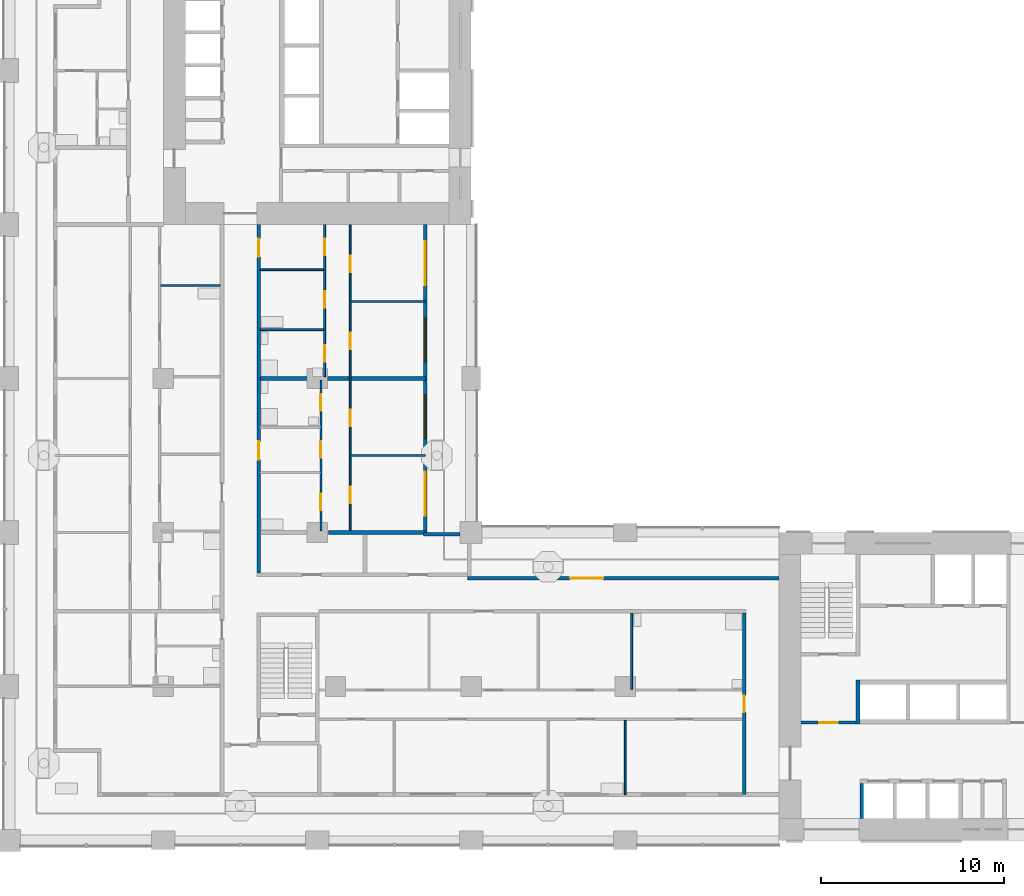
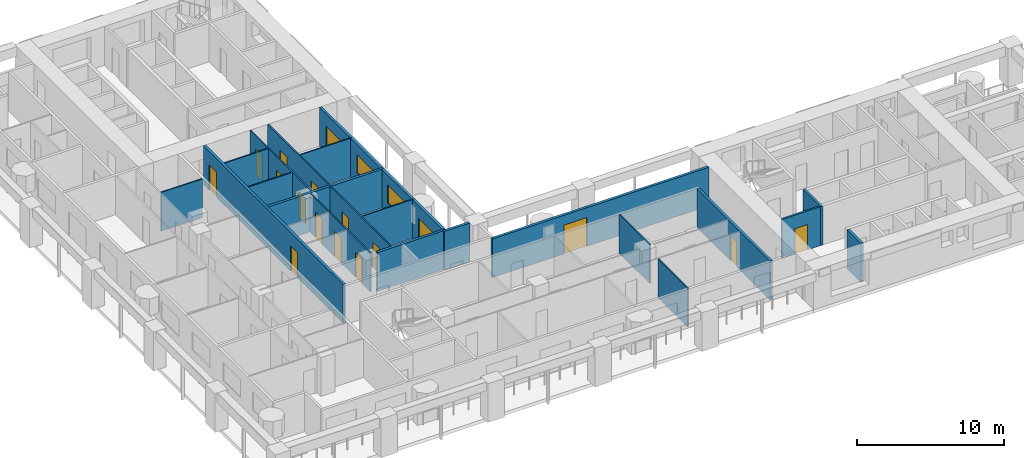
# One storey, part 4 of 18: 20 walls, 17 doors, 2 windows, 19 openings.
"""IFC4 building model written with IfcOpenShell, lengths in metres."""

from ifc_helpers import new_model, si_unit, direction, frame, frame_2d, origin, place, context, subcontext, project, spatial, rectangle, extrude, material, layer, layer_set, type_object, element, fill, save


model = new_model("IFC4")

# Units and contexts
model_context = context("Model", 3, precision=1e-05, world=origin(), true_north=direction((0.0, 1.0)))
body_context = subcontext(model_context, "Body", "Model", "MODEL_VIEW")
ifc_project = project(units=[si_unit("LENGTHUNIT", "METRE"), si_unit("AREAUNIT", "SQUARE_METRE"), si_unit("VOLUMEUNIT", "CUBIC_METRE"), si_unit("PLANEANGLEUNIT", "RADIAN"), si_unit("MASSUNIT", "GRAM", prefix="KILO")], contexts=[model_context])

# Site, building, storey
site_placement = place(None, origin())
site = spatial("IfcSite", under=ifc_project, at=site_placement, CompositionType="ELEMENT")
building_placement = place(site_placement, origin())
building = spatial("IfcBuilding", under=site, at=building_placement, Name="Vermilion Gate Residences", CompositionType="ELEMENT")
storey_placement = place(building_placement, frame((0.0, 0.0, 84.699951171875)))
storey = spatial("IfcBuildingStorey", under=building, at=storey_placement, Name="L20", CompositionType="ELEMENT", Elevation=84.699951171875)

# Wall, opening, door
ifc_material_1 = material(Name="Masonry blockwork", Category="masonry")
ifc_layer_1 = layer(ifc_material_1, 0.14990234375)
ifc_layer_set_1 = layer_set([ifc_layer_1], Name="BLOCKWORK PARTITION 150 EI 120")
wall_type_1 = type_object("IfcWallType", Name="BLOCKWORK PARTITION 150 EI 120", PredefinedType="PARTITIONING", material=ifc_layer_set_1)
wall_1_placement = place(storey_placement, frame((43.199951171875, 14.824951171875, 0.0), z_axis=(0.0, 0.0, 1.0), x_axis=(1.0, 0.0, 0.0)))
wall_1 = element("IfcWall", 1, at=wall_1_placement, inside=storey, type_object=wall_type_1, Name="Core room partition A20-VW-S", PredefinedType="PARTITIONING", context=body_context, shape_type="SweptSolid", body=[
    extrude(rectangle(XDim=3.0, YDim=0.14990234375, at=frame_2d((1.5, 0.0))), origin(), (0.0, 0.0, 1.0), 3.219970703125),
])
opening_1_placement = place(wall_1_placement, frame((1.0, 0.0, 0.0)))
opening_1 = element("IfcOpeningElement", 2, at=opening_1_placement, cuts=wall_1, Name="Opening DK20011", PredefinedType="OPENING", context=body_context, shape_type="SweptSolid", body=[
    extrude(rectangle(XDim=1.0, YDim=2.10009765625, at=frame_2d((0.5, 1.050048828125))), frame((0.0, 0.0849609375, 0.0), z_axis=(0.0, -1.0, 0.0), x_axis=(1.0, 0.0, 0.0)), (0.0, 0.0, 1.0), 0.169921875),
])
ifc_material_2 = material(Name="Steel", Category="steel")
door_type_1 = type_object("IfcDoorType", Name="FIRE DOOR FD60 1000 X 2100", OperationType="SINGLE_SWING_LEFT", PredefinedType="DOOR", material=ifc_material_2)
door_1_placement = place(opening_1_placement, frame((1.0, 0.0, 0.0), z_axis=(0.0, 0.0, 1.0), x_axis=(-1.0, 0.0, 0.0)))
door_1 = element("IfcDoor", 3, at=door_1_placement, inside=storey, type_object=door_type_1, Name="Stair vestibule door A20", OperationType="SINGLE_SWING_RIGHT", OverallHeight=2.10009765625, OverallWidth=1.0, PredefinedType="DOOR", context=body_context, shape_type="SweptSolid", body=[
    extrude(rectangle(XDim=1.0, YDim=2.10009765625, at=frame_2d((0.5, 1.050048828125))), frame((0.0, 0.02490234375, 0.0), z_axis=(0.0, -1.0, 0.0), x_axis=(1.0, 0.0, 0.0)), (0.0, 0.0, 1.0), 0.050048828125),
])
fill(opening_1, door_1)

ifc_material_3 = material(Name="Insulated steel stud wall with terracotta rainscreen", Category="masonry")
ifc_layer_2 = layer(ifc_material_3, 0.199951171875)
ifc_layer_set_2 = layer_set([ifc_layer_2], Name="EXTERNAL WALL 200 TERRACOTTA RAINSCREEN")
wall_type_2 = type_object("IfcWallType", Name="EXTERNAL WALL 200 TERRACOTTA RAINSCREEN", PredefinedType="SOLIDWALL", material=ifc_layer_set_2)
wall_2_placement = place(storey_placement, frame((42.0, 22.699951171875, 0.0), z_axis=(0.0, 0.0, 1.0), x_axis=(-1.0, 0.0, 0.0)))
wall_2 = element("IfcWall", 4, at=wall_2_placement, inside=storey, type_object=wall_type_2, Name="External wall", PredefinedType="SOLIDWALL", context=body_context, shape_type="SweptSolid", body=[
    extrude(rectangle(XDim=17.0, YDim=0.199951171875, at=frame_2d((8.5, 0.0))), origin(), (0.0, 0.0, 1.0), 3.219970703125),
])
opening_2_placement = place(wall_2_placement, frame((9.60009765625, 0.0, 0.0)))
opening_2 = element("IfcOpeningElement", 5, at=opening_2_placement, cuts=wall_2, Name="Opening DE20029", PredefinedType="OPENING", context=body_context, shape_type="SweptSolid", body=[
    extrude(rectangle(XDim=1.800048828125, YDim=2.39990234375, at=frame_2d((0.89990234375, 1.199951171875))), frame((0.0, 0.10986328125, 0.0), z_axis=(0.0, -1.0, 0.0), x_axis=(1.0, 0.0, 0.0)), (0.0, 0.0, 1.0), 0.219970703125),
])
ifc_material_4 = material(Name="Aluminium and clear glass", Category="aluminium")
door_type_2 = type_object("IfcDoorType", Name="GLAZED EXTERNAL DOOR 1800 X 2400", OperationType="DOUBLE_DOOR_SINGLE_SWING", PredefinedType="DOOR", material=ifc_material_4)
door_2_placement = place(opening_2_placement, frame((1.800048828125, 0.0, 0.0), z_axis=(0.0, 0.0, 1.0), x_axis=(-1.0, 0.0, 0.0)))
door_2 = element("IfcDoor", 6, at=door_2_placement, inside=storey, type_object=door_type_2, Name="Gallery door", OperationType="DOUBLE_DOOR_SINGLE_SWING", OverallHeight=2.39990234375, OverallWidth=1.800048828125, PredefinedType="DOOR", context=body_context, shape_type="SweptSolid", body=[
    extrude(rectangle(XDim=1.800048828125, YDim=2.39990234375, at=frame_2d((0.89990234375, 1.199951171875))), frame((0.0, 0.02490234375, 0.0), z_axis=(0.0, -1.0, 0.0), x_axis=(1.0, 0.0, 0.0)), (0.0, 0.0, 1.0), 0.050048828125),
])
fill(opening_2, door_2)

# Wall
wall_3_placement = place(storey_placement, frame((24.60009765625, 25.10009765625, 0.0), z_axis=(0.0, 0.0, 1.0), x_axis=(-1.0, 0.0, 0.0)))
element("IfcWall", 7, at=wall_3_placement, inside=storey, type_object=wall_type_2, Name="External wall", PredefinedType="SOLIDWALL", context=body_context, shape_type="SweptSolid", body=[
    extrude(rectangle(XDim=2.0, YDim=0.199951171875, at=frame_2d((1.0, 0.0))), origin(), (0.0, 0.0, 1.0), 3.219970703125),
])

# Wall, openings, doors, windows
wall_4_placement = place(storey_placement, frame((22.699951171875, 25.199951171875, 0.0), z_axis=(0.0, 0.0, 1.0), x_axis=(0.0, 1.0, 0.0)))
wall_4 = element("IfcWall", 8, at=wall_4_placement, inside=storey, type_object=wall_type_2, Name="External wall", PredefinedType="SOLIDWALL", context=body_context, shape_type="SweptSolid", body=[
    extrude(rectangle(XDim=16.800048828125, YDim=0.199951171875, at=frame_2d((8.39990234375, 0.0))), origin(), (0.0, 0.0, 1.0), 3.219970703125),
])
opening_3_placement = place(wall_4_placement, frame((0.89990234375, 0.0, 0.0)))
opening_3 = element("IfcOpeningElement", 9, at=opening_3_placement, cuts=wall_4, Name="Opening DE20024", PredefinedType="OPENING", context=body_context, shape_type="SweptSolid", body=[
    extrude(rectangle(XDim=2.39990234375, YDim=2.199951171875, at=frame_2d((1.199951171875, 1.10009765625))), frame((0.0, 0.10986328125, 0.0), z_axis=(0.0, -1.0, 0.0), x_axis=(1.0, 0.0, 0.0)), (0.0, 0.0, 1.0), 0.219970703125),
])
opening_4_placement = place(wall_4_placement, frame((5.10009765625, 0.0, 0.89990234375)))
opening_4 = element("IfcOpeningElement", 10, at=opening_4_placement, cuts=wall_4, Name="Opening WE20025", PredefinedType="OPENING", context=body_context, shape_type="SweptSolid", body=[
    extrude(rectangle(XDim=2.39990234375, YDim=1.5, at=frame_2d((1.199951171875, 0.75))), frame((0.0, 0.10986328125, 0.0), z_axis=(0.0, -1.0, 0.0), x_axis=(1.0, 0.0, 0.0)), (0.0, 0.0, 1.0), 0.219970703125),
])
opening_5_placement = place(wall_4_placement, frame((9.300048828125, 0.0, 0.89990234375)))
opening_5 = element("IfcOpeningElement", 11, at=opening_5_placement, cuts=wall_4, Name="Opening WE20026", PredefinedType="OPENING", context=body_context, shape_type="SweptSolid", body=[
    extrude(rectangle(XDim=2.39990234375, YDim=1.5, at=frame_2d((1.199951171875, 0.75))), frame((0.0, 0.10986328125, 0.0), z_axis=(0.0, -1.0, 0.0), x_axis=(1.0, 0.0, 0.0)), (0.0, 0.0, 1.0), 0.219970703125),
])
opening_6_placement = place(wall_4_placement, frame((13.5, 0.0, 0.0)))
opening_6 = element("IfcOpeningElement", 12, at=opening_6_placement, cuts=wall_4, Name="Opening DE20027", PredefinedType="OPENING", context=body_context, shape_type="SweptSolid", body=[
    extrude(rectangle(XDim=2.39990234375, YDim=2.199951171875, at=frame_2d((1.199951171875, 1.10009765625))), frame((0.0, 0.10986328125, 0.0), z_axis=(0.0, -1.0, 0.0), x_axis=(1.0, 0.0, 0.0)), (0.0, 0.0, 1.0), 0.219970703125),
])
ifc_material_5 = material(Name="Aluminium and clear glass", Category="aluminium")
door_type_3 = type_object("IfcDoorType", Name="SLIDING GLAZED DOOR 2400 X 2200", OperationType="DOUBLE_DOOR_SLIDING", PredefinedType="DOOR", material=ifc_material_5)
door_3_placement = place(opening_3_placement, origin())
door_3 = element("IfcDoor", 13, at=door_3_placement, inside=storey, type_object=door_type_3, Name="Loggia sliding door", OperationType="DOUBLE_DOOR_SLIDING", OverallHeight=2.199951171875, OverallWidth=2.39990234375, PredefinedType="DOOR", context=body_context, shape_type="SweptSolid", body=[
    extrude(rectangle(XDim=2.39990234375, YDim=2.199951171875, at=frame_2d((1.199951171875, 1.10009765625))), frame((0.0, 0.02490234375, 0.0), z_axis=(0.0, -1.0, 0.0), x_axis=(1.0, 0.0, 0.0)), (0.0, 0.0, 1.0), 0.050048828125),
])
fill(opening_3, door_3)
door_4_placement = place(opening_6_placement, origin())
door_4 = element("IfcDoor", 14, at=door_4_placement, inside=storey, type_object=door_type_3, Name="Loggia sliding door", OperationType="DOUBLE_DOOR_SLIDING", OverallHeight=2.199951171875, OverallWidth=2.39990234375, PredefinedType="DOOR", context=body_context, shape_type="SweptSolid", body=[
    extrude(rectangle(XDim=2.39990234375, YDim=2.199951171875, at=frame_2d((1.199951171875, 1.10009765625))), frame((0.0, 0.02490234375, 0.0), z_axis=(0.0, -1.0, 0.0), x_axis=(1.0, 0.0, 0.0)), (0.0, 0.0, 1.0), 0.050048828125),
])
fill(opening_6, door_4)
ifc_material_6 = material(Name="Aluminium and clear glass", Category="aluminium")
window_type = type_object("IfcWindowType", Name="WINDOW 2400 X 1500", PartitioningType="SINGLE_PANEL", PredefinedType="WINDOW", material=ifc_material_6)
window_1_placement = place(opening_4_placement, origin())
window_1 = element("IfcWindow", 15, at=window_1_placement, inside=storey, type_object=window_type, Name="Window", OverallHeight=1.5, OverallWidth=2.39990234375, PartitioningType="SINGLE_PANEL", PredefinedType="WINDOW", context=body_context, shape_type="SweptSolid", body=[
    extrude(rectangle(XDim=2.39990234375, YDim=1.5, at=frame_2d((1.199951171875, 0.75))), frame((0.0, 0.030029296875, 0.0), z_axis=(0.0, -1.0, 0.0), x_axis=(1.0, 0.0, 0.0)), (0.0, 0.0, 1.0), 0.06005859375),
])
fill(opening_4, window_1)
window_2_placement = place(opening_5_placement, origin())
window_2 = element("IfcWindow", 16, at=window_2_placement, inside=storey, type_object=window_type, Name="Window", OverallHeight=1.5, OverallWidth=2.39990234375, PartitioningType="SINGLE_PANEL", PredefinedType="WINDOW", context=body_context, shape_type="SweptSolid", body=[
    extrude(rectangle(XDim=2.39990234375, YDim=1.5, at=frame_2d((1.199951171875, 0.75))), frame((0.0, 0.030029296875, 0.0), z_axis=(0.0, -1.0, 0.0), x_axis=(1.0, 0.0, 0.0)), (0.0, 0.0, 1.0), 0.06005859375),
])
fill(opening_5, window_2)

# Walls
ifc_material_7 = material(Name="Plasterboard on steel studs", Category="steel")
ifc_layer_3 = layer(ifc_material_7, 0.10009765625)
ifc_layer_set_3 = layer_set([ifc_layer_3], Name="PARTITION 100")
wall_type_3 = type_object("IfcWallType", Name="PARTITION 100", PredefinedType="PARTITIONING", material=ifc_layer_set_3)
wall_5_placement = place(storey_placement, frame((18.64990234375, 29.39990234375, 0.0), z_axis=(0.0, 0.0, 1.0), x_axis=(1.0, 0.0, 0.0)))
element("IfcWall", 17, at=wall_5_placement, inside=storey, type_object=wall_type_3, Name="Partition", PredefinedType="PARTITIONING", context=body_context, shape_type="SweptSolid", body=[
    extrude(rectangle(XDim=4.050048828125, YDim=0.10009765625, at=frame_2d((2.02490234375, 0.0))), origin(), (0.0, 0.0, 1.0), 3.219970703125),
])
wall_6_placement = place(storey_placement, frame((13.699951171875, 36.26708984375, 0.0), z_axis=(0.0, 0.0, 1.0), x_axis=(1.0, 0.0, 0.0)))
element("IfcWall", 18, at=wall_6_placement, inside=storey, type_object=wall_type_3, Name="Partition", PredefinedType="PARTITIONING", context=body_context, shape_type="SweptSolid", body=[
    extrude(rectangle(XDim=3.449951171875, YDim=0.10009765625, at=frame_2d((1.72509765625, 0.0))), origin(), (0.0, 0.0, 1.0), 3.219970703125),
])
wall_7_placement = place(storey_placement, frame((18.64990234375, 37.800048828125, 0.0), z_axis=(0.0, 0.0, 1.0), x_axis=(1.0, 0.0, 0.0)))
element("IfcWall", 19, at=wall_7_placement, inside=storey, type_object=wall_type_3, Name="Partition", PredefinedType="PARTITIONING", context=body_context, shape_type="SweptSolid", body=[
    extrude(rectangle(XDim=4.050048828125, YDim=0.10009765625, at=frame_2d((2.02490234375, 0.0))), origin(), (0.0, 0.0, 1.0), 3.219970703125),
])
wall_8_placement = place(storey_placement, frame((8.25, 38.669921875, 0.0), z_axis=(0.0, 0.0, 1.0), x_axis=(1.0, 0.0, 0.0)))
element("IfcWall", 20, at=wall_8_placement, inside=storey, type_object=wall_type_3, Name="Partition", PredefinedType="PARTITIONING", context=body_context, shape_type="SweptSolid", body=[
    extrude(rectangle(XDim=3.25, YDim=0.10009765625, at=frame_2d((1.625, 0.0))), origin(), (0.0, 0.0, 1.0), 3.219970703125),
])
wall_9_placement = place(storey_placement, frame((13.699951171875, 39.532958984375, 0.0), z_axis=(0.0, 0.0, 1.0), x_axis=(1.0, 0.0, 0.0)))
element("IfcWall", 21, at=wall_9_placement, inside=storey, type_object=wall_type_3, Name="Partition", PredefinedType="PARTITIONING", context=body_context, shape_type="SweptSolid", body=[
    extrude(rectangle(XDim=3.449951171875, YDim=0.10009765625, at=frame_2d((1.72509765625, 0.0))), origin(), (0.0, 0.0, 1.0), 3.219970703125),
])

# Wall, openings, doors
wall_10_placement = place(storey_placement, frame((17.0, 25.300048828125, 0.0), z_axis=(0.0, 0.0, 1.0), x_axis=(0.0, 1.0, 0.0)))
wall_10 = element("IfcWall", 22, at=wall_10_placement, inside=storey, type_object=wall_type_3, Name="Partition", PredefinedType="PARTITIONING", context=body_context, shape_type="SweptSolid", body=[
    extrude(rectangle(XDim=8.199951171875, YDim=0.10009765625, at=frame_2d((4.10009765625, 0.0))), origin(), (0.0, 0.0, 1.0), 3.219970703125),
])
opening_7_placement = place(wall_10_placement, frame((3.967041015625, 0.0, 0.0)))
opening_7 = element("IfcOpeningElement", 23, at=opening_7_placement, cuts=wall_10, Name="Opening DA19035", PredefinedType="OPENING", context=body_context, shape_type="SweptSolid", body=[
    extrude(rectangle(XDim=0.89990234375, YDim=2.10009765625, at=frame_2d((0.449951171875, 1.050048828125))), frame((0.0, 0.06005859375, 0.0), z_axis=(0.0, -1.0, 0.0), x_axis=(1.0, 0.0, 0.0)), (0.0, 0.0, 1.0), 0.1201171875),
])
opening_8_placement = place(wall_10_placement, frame((1.10009765625, 0.0, 0.0)))
opening_8 = element("IfcOpeningElement", 24, at=opening_8_placement, cuts=wall_10, Name="Opening DA19036", PredefinedType="OPENING", context=body_context, shape_type="SweptSolid", body=[
    extrude(rectangle(XDim=0.89990234375, YDim=2.10009765625, at=frame_2d((0.449951171875, 1.050048828125))), frame((0.0, 0.06005859375, 0.0), z_axis=(0.0, -1.0, 0.0), x_axis=(1.0, 0.0, 0.0)), (0.0, 0.0, 1.0), 0.1201171875),
])
opening_9_placement = place(wall_10_placement, frame((6.532958984375, 0.0, 0.0)))
opening_9 = element("IfcOpeningElement", 25, at=opening_9_placement, cuts=wall_10, Name="Opening DA19037", PredefinedType="OPENING", context=body_context, shape_type="SweptSolid", body=[
    extrude(rectangle(XDim=0.89990234375, YDim=2.10009765625, at=frame_2d((0.449951171875, 1.050048828125))), frame((0.0, 0.06005859375, 0.0), z_axis=(0.0, -1.0, 0.0), x_axis=(1.0, 0.0, 0.0)), (0.0, 0.0, 1.0), 0.1201171875),
])
ifc_material_8 = material(Name="Timber", Category="wood")
door_type_4 = type_object("IfcDoorType", Name="INTERIOR DOOR 900 X 2100", OperationType="SINGLE_SWING_LEFT", PredefinedType="DOOR", material=ifc_material_8)
door_5_placement = place(opening_7_placement, origin())
door_5 = element("IfcDoor", 26, at=door_5_placement, inside=storey, type_object=door_type_4, Name="Interior door", OperationType="SINGLE_SWING_RIGHT", OverallHeight=2.10009765625, OverallWidth=0.89990234375, PredefinedType="DOOR", context=body_context, shape_type="SweptSolid", body=[
    extrude(rectangle(XDim=0.89990234375, YDim=2.10009765625, at=frame_2d((0.449951171875, 1.050048828125))), frame((0.0, 0.02490234375, 0.0), z_axis=(0.0, -1.0, 0.0), x_axis=(1.0, 0.0, 0.0)), (0.0, 0.0, 1.0), 0.050048828125),
])
fill(opening_7, door_5)
door_6_placement = place(opening_8_placement, origin())
door_6 = element("IfcDoor", 27, at=door_6_placement, inside=storey, type_object=door_type_4, Name="Interior door", OperationType="SINGLE_SWING_LEFT", OverallHeight=2.10009765625, OverallWidth=0.89990234375, PredefinedType="DOOR", context=body_context, shape_type="SweptSolid", body=[
    extrude(rectangle(XDim=0.89990234375, YDim=2.10009765625, at=frame_2d((0.449951171875, 1.050048828125))), frame((0.0, 0.02490234375, 0.0), z_axis=(0.0, -1.0, 0.0), x_axis=(1.0, 0.0, 0.0)), (0.0, 0.0, 1.0), 0.050048828125),
])
fill(opening_8, door_6)
door_7_placement = place(opening_9_placement, origin())
door_7 = element("IfcDoor", 28, at=door_7_placement, inside=storey, type_object=door_type_4, Name="Interior door", OperationType="SINGLE_SWING_RIGHT", OverallHeight=2.10009765625, OverallWidth=0.89990234375, PredefinedType="DOOR", context=body_context, shape_type="SweptSolid", body=[
    extrude(rectangle(XDim=0.89990234375, YDim=2.10009765625, at=frame_2d((0.449951171875, 1.050048828125))), frame((0.0, 0.02490234375, 0.0), z_axis=(0.0, -1.0, 0.0), x_axis=(1.0, 0.0, 0.0)), (0.0, 0.0, 1.0), 0.050048828125),
])
fill(opening_9, door_7)

wall_11_placement = place(storey_placement, frame((17.199951171875, 33.699951171875, 0.0), z_axis=(0.0, 0.0, 1.0), x_axis=(0.0, 1.0, 0.0)))
wall_11 = element("IfcWall", 29, at=wall_11_placement, inside=storey, type_object=wall_type_3, Name="Partition", PredefinedType="PARTITIONING", context=body_context, shape_type="SweptSolid", body=[
    extrude(rectangle(XDim=8.300048828125, YDim=0.10009765625, at=frame_2d((4.14990234375, 0.0))), origin(), (0.0, 0.0, 1.0), 3.219970703125),
])
opening_10_placement = place(wall_11_placement, frame((6.633056640625, 0.0, 0.0)))
opening_10 = element("IfcOpeningElement", 30, at=opening_10_placement, cuts=wall_11, Name="Opening DA19038", PredefinedType="OPENING", context=body_context, shape_type="SweptSolid", body=[
    extrude(rectangle(XDim=0.89990234375, YDim=2.10009765625, at=frame_2d((0.449951171875, 1.050048828125))), frame((0.0, 0.06005859375, 0.0), z_axis=(0.0, -1.0, 0.0), x_axis=(1.0, 0.0, 0.0)), (0.0, 0.0, 1.0), 0.1201171875),
])
opening_11_placement = place(wall_11_placement, frame((0.800048828125, 0.0, 0.0)))
opening_11 = element("IfcOpeningElement", 31, at=opening_11_placement, cuts=wall_11, Name="Opening DA19039", PredefinedType="OPENING", context=body_context, shape_type="SweptSolid", body=[
    extrude(rectangle(XDim=0.89990234375, YDim=2.10009765625, at=frame_2d((0.449951171875, 1.050048828125))), frame((0.0, 0.06005859375, 0.0), z_axis=(0.0, -1.0, 0.0), x_axis=(1.0, 0.0, 0.0)), (0.0, 0.0, 1.0), 0.1201171875),
])
opening_12_placement = place(wall_11_placement, frame((3.76708984375, 0.0, 0.0)))
opening_12 = element("IfcOpeningElement", 32, at=opening_12_placement, cuts=wall_11, Name="Opening DA19040", PredefinedType="OPENING", context=body_context, shape_type="SweptSolid", body=[
    extrude(rectangle(XDim=0.89990234375, YDim=2.10009765625, at=frame_2d((0.449951171875, 1.050048828125))), frame((0.0, 0.06005859375, 0.0), z_axis=(0.0, -1.0, 0.0), x_axis=(1.0, 0.0, 0.0)), (0.0, 0.0, 1.0), 0.1201171875),
])
door_8_placement = place(opening_10_placement, origin())
door_8 = element("IfcDoor", 33, at=door_8_placement, inside=storey, type_object=door_type_4, Name="Interior door", OperationType="SINGLE_SWING_LEFT", OverallHeight=2.10009765625, OverallWidth=0.89990234375, PredefinedType="DOOR", context=body_context, shape_type="SweptSolid", body=[
    extrude(rectangle(XDim=0.89990234375, YDim=2.10009765625, at=frame_2d((0.449951171875, 1.050048828125))), frame((0.0, 0.02490234375, 0.0), z_axis=(0.0, -1.0, 0.0), x_axis=(1.0, 0.0, 0.0)), (0.0, 0.0, 1.0), 0.050048828125),
])
fill(opening_10, door_8)
door_9_placement = place(opening_11_placement, origin())
door_9 = element("IfcDoor", 34, at=door_9_placement, inside=storey, type_object=door_type_4, Name="Interior door", OperationType="SINGLE_SWING_LEFT", OverallHeight=2.10009765625, OverallWidth=0.89990234375, PredefinedType="DOOR", context=body_context, shape_type="SweptSolid", body=[
    extrude(rectangle(XDim=0.89990234375, YDim=2.10009765625, at=frame_2d((0.449951171875, 1.050048828125))), frame((0.0, 0.02490234375, 0.0), z_axis=(0.0, -1.0, 0.0), x_axis=(1.0, 0.0, 0.0)), (0.0, 0.0, 1.0), 0.050048828125),
])
fill(opening_11, door_9)
door_10_placement = place(opening_12_placement, origin())
door_10 = element("IfcDoor", 35, at=door_10_placement, inside=storey, type_object=door_type_4, Name="Interior door", OperationType="SINGLE_SWING_RIGHT", OverallHeight=2.10009765625, OverallWidth=0.89990234375, PredefinedType="DOOR", context=body_context, shape_type="SweptSolid", body=[
    extrude(rectangle(XDim=0.89990234375, YDim=2.10009765625, at=frame_2d((0.449951171875, 1.050048828125))), frame((0.0, 0.02490234375, 0.0), z_axis=(0.0, -1.0, 0.0), x_axis=(1.0, 0.0, 0.0)), (0.0, 0.0, 1.0), 0.050048828125),
])
fill(opening_12, door_10)

wall_12_placement = place(storey_placement, frame((18.60009765625, 25.300048828125, 0.0), z_axis=(0.0, 0.0, 1.0), x_axis=(0.0, 1.0, 0.0)))
wall_12 = element("IfcWall", 36, at=wall_12_placement, inside=storey, type_object=wall_type_3, Name="Partition", PredefinedType="PARTITIONING", context=body_context, shape_type="SweptSolid", body=[
    extrude(rectangle(XDim=16.699951171875, YDim=0.10009765625, at=frame_2d((8.35009765625, 0.0))), origin(), (0.0, 0.0, 1.0), 3.219970703125),
])
opening_13_placement = place(wall_12_placement, frame((1.5, 0.0, 0.0)))
opening_13 = element("IfcOpeningElement", 37, at=opening_13_placement, cuts=wall_12, Name="Opening DA19041", PredefinedType="OPENING", context=body_context, shape_type="SweptSolid", body=[
    extrude(rectangle(XDim=0.89990234375, YDim=2.10009765625, at=frame_2d((0.449951171875, 1.050048828125))), frame((0.0, 0.06005859375, 0.0), z_axis=(0.0, -1.0, 0.0), x_axis=(1.0, 0.0, 0.0)), (0.0, 0.0, 1.0), 0.1201171875),
])
opening_14_placement = place(wall_12_placement, frame((5.699951171875, 0.0, 0.0)))
opening_14 = element("IfcOpeningElement", 38, at=opening_14_placement, cuts=wall_12, Name="Opening DA19042", PredefinedType="OPENING", context=body_context, shape_type="SweptSolid", body=[
    extrude(rectangle(XDim=0.89990234375, YDim=2.10009765625, at=frame_2d((0.449951171875, 1.050048828125))), frame((0.0, 0.06005859375, 0.0), z_axis=(0.0, -1.0, 0.0), x_axis=(1.0, 0.0, 0.0)), (0.0, 0.0, 1.0), 0.1201171875),
])
opening_15_placement = place(wall_12_placement, frame((9.89990234375, 0.0, 0.0)))
opening_15 = element("IfcOpeningElement", 39, at=opening_15_placement, cuts=wall_12, Name="Opening DA19043", PredefinedType="OPENING", context=body_context, shape_type="SweptSolid", body=[
    extrude(rectangle(XDim=0.89990234375, YDim=2.10009765625, at=frame_2d((0.449951171875, 1.050048828125))), frame((0.0, 0.06005859375, 0.0), z_axis=(0.0, -1.0, 0.0), x_axis=(1.0, 0.0, 0.0)), (0.0, 0.0, 1.0), 0.1201171875),
])
opening_16_placement = place(wall_12_placement, frame((14.10009765625, 0.0, 0.0)))
opening_16 = element("IfcOpeningElement", 40, at=opening_16_placement, cuts=wall_12, Name="Opening DA19044", PredefinedType="OPENING", context=body_context, shape_type="SweptSolid", body=[
    extrude(rectangle(XDim=0.89990234375, YDim=2.10009765625, at=frame_2d((0.449951171875, 1.050048828125))), frame((0.0, 0.06005859375, 0.0), z_axis=(0.0, -1.0, 0.0), x_axis=(1.0, 0.0, 0.0)), (0.0, 0.0, 1.0), 0.1201171875),
])
door_11_placement = place(opening_13_placement, frame((0.89990234375, 0.0, 0.0), z_axis=(0.0, 0.0, 1.0), x_axis=(-1.0, 0.0, 0.0)))
door_11 = element("IfcDoor", 41, at=door_11_placement, inside=storey, type_object=door_type_4, Name="Interior door", OperationType="SINGLE_SWING_RIGHT", OverallHeight=2.10009765625, OverallWidth=0.89990234375, PredefinedType="DOOR", context=body_context, shape_type="SweptSolid", body=[
    extrude(rectangle(XDim=0.89990234375, YDim=2.10009765625, at=frame_2d((0.449951171875, 1.050048828125))), frame((0.0, 0.02490234375, 0.0), z_axis=(0.0, -1.0, 0.0), x_axis=(1.0, 0.0, 0.0)), (0.0, 0.0, 1.0), 0.050048828125),
])
fill(opening_13, door_11)
door_12_placement = place(opening_14_placement, frame((0.89990234375, 0.0, 0.0), z_axis=(0.0, 0.0, 1.0), x_axis=(-1.0, 0.0, 0.0)))
door_12 = element("IfcDoor", 42, at=door_12_placement, inside=storey, type_object=door_type_4, Name="Interior door", OperationType="SINGLE_SWING_RIGHT", OverallHeight=2.10009765625, OverallWidth=0.89990234375, PredefinedType="DOOR", context=body_context, shape_type="SweptSolid", body=[
    extrude(rectangle(XDim=0.89990234375, YDim=2.10009765625, at=frame_2d((0.449951171875, 1.050048828125))), frame((0.0, 0.02490234375, 0.0), z_axis=(0.0, -1.0, 0.0), x_axis=(1.0, 0.0, 0.0)), (0.0, 0.0, 1.0), 0.050048828125),
])
fill(opening_14, door_12)
door_13_placement = place(opening_15_placement, frame((0.89990234375, 0.0, 0.0), z_axis=(0.0, 0.0, 1.0), x_axis=(-1.0, 0.0, 0.0)))
door_13 = element("IfcDoor", 43, at=door_13_placement, inside=storey, type_object=door_type_4, Name="Interior door", OperationType="SINGLE_SWING_RIGHT", OverallHeight=2.10009765625, OverallWidth=0.89990234375, PredefinedType="DOOR", context=body_context, shape_type="SweptSolid", body=[
    extrude(rectangle(XDim=0.89990234375, YDim=2.10009765625, at=frame_2d((0.449951171875, 1.050048828125))), frame((0.0, 0.02490234375, 0.0), z_axis=(0.0, -1.0, 0.0), x_axis=(1.0, 0.0, 0.0)), (0.0, 0.0, 1.0), 0.050048828125),
])
fill(opening_15, door_13)
door_14_placement = place(opening_16_placement, frame((0.89990234375, 0.0, 0.0), z_axis=(0.0, 0.0, 1.0), x_axis=(-1.0, 0.0, 0.0)))
door_14 = element("IfcDoor", 44, at=door_14_placement, inside=storey, type_object=door_type_4, Name="Interior door", OperationType="SINGLE_SWING_RIGHT", OverallHeight=2.10009765625, OverallWidth=0.89990234375, PredefinedType="DOOR", context=body_context, shape_type="SweptSolid", body=[
    extrude(rectangle(XDim=0.89990234375, YDim=2.10009765625, at=frame_2d((0.449951171875, 1.050048828125))), frame((0.0, 0.02490234375, 0.0), z_axis=(0.0, -1.0, 0.0), x_axis=(1.0, 0.0, 0.0)), (0.0, 0.0, 1.0), 0.050048828125),
])
fill(opening_16, door_14)

# Walls
wall_13_placement = place(storey_placement, frame((33.60009765625, 10.89990234375, 0.0), z_axis=(0.0, 0.0, 1.0), x_axis=(0.0, 1.0, 0.0)))
element("IfcWall", 45, at=wall_13_placement, inside=storey, type_object=wall_type_3, Name="Partition", PredefinedType="PARTITIONING", context=body_context, shape_type="SweptSolid", body=[
    extrude(rectangle(XDim=4.050048828125, YDim=0.10009765625, at=frame_2d((2.02490234375, 0.0))), origin(), (0.0, 0.0, 1.0), 3.219970703125),
])
wall_14_placement = place(storey_placement, frame((33.949951171875, 16.64990234375, 0.0), z_axis=(0.0, 0.0, 1.0), x_axis=(0.0, 1.0, 0.0)))
element("IfcWall", 46, at=wall_14_placement, inside=storey, type_object=wall_type_3, Name="Partition", PredefinedType="PARTITIONING", context=body_context, shape_type="SweptSolid", body=[
    extrude(rectangle(XDim=4.150146484375, YDim=0.10009765625, at=frame_2d((2.0751953125, 0.0))), origin(), (0.0, 0.0, 1.0), 3.219970703125),
])
ifc_material_9 = material(Name="Fire-rated plasterboard on steel studs", Category="steel")
ifc_layer_4 = layer(ifc_material_9, 0.199951171875)
ifc_layer_set_4 = layer_set([ifc_layer_4], Name="PARTY WALL 200 EI 120")
wall_type_4 = type_object("IfcWallType", Name="PARTY WALL 200 EI 120", PredefinedType="PARTITIONING", material=ifc_layer_set_4)
wall_15_placement = place(storey_placement, frame((17.39990234375, 25.199951171875, 0.0), z_axis=(0.0, 0.0, 1.0), x_axis=(1.0, 0.0, 0.0)))
element("IfcWall", 47, at=wall_15_placement, inside=storey, type_object=wall_type_4, Name="Party and corridor wall", PredefinedType="PARTITIONING", context=body_context, shape_type="SweptSolid", body=[
    extrude(rectangle(XDim=5.300048828125, YDim=0.199951171875, at=frame_2d((2.64990234375, 0.0))), origin(), (0.0, 0.0, 1.0), 3.219970703125),
])
wall_16_placement = place(storey_placement, frame((13.699951171875, 33.60009765625, 0.0), z_axis=(0.0, 0.0, 1.0), x_axis=(1.0, 0.0, 0.0)))
element("IfcWall", 48, at=wall_16_placement, inside=storey, type_object=wall_type_4, Name="Party and corridor wall", PredefinedType="PARTITIONING", context=body_context, shape_type="SweptSolid", body=[
    extrude(rectangle(XDim=9.0, YDim=0.199951171875, at=frame_2d((4.5, 0.0))), origin(), (0.0, 0.0, 1.0), 3.219970703125),
])

# Wall, openings, doors
wall_17_placement = place(storey_placement, frame((13.60009765625, 23.0, 0.0), z_axis=(0.0, 0.0, 1.0), x_axis=(0.0, 1.0, 0.0)))
wall_17 = element("IfcWall", 49, at=wall_17_placement, inside=storey, type_object=wall_type_4, Name="Party and corridor wall", PredefinedType="PARTITIONING", context=body_context, shape_type="SweptSolid", body=[
    extrude(rectangle(XDim=19.0, YDim=0.199951171875, at=frame_2d((9.5, 0.0))), origin(), (0.0, 0.0, 1.0), 3.219970703125),
])
opening_17_placement = place(wall_17_placement, frame((6.1669921875, 0.0, 0.0)))
opening_17 = element("IfcOpeningElement", 50, at=opening_17_placement, cuts=wall_17, Name="Opening DA19033", PredefinedType="OPENING", context=body_context, shape_type="SweptSolid", body=[
    extrude(rectangle(XDim=1.0, YDim=2.10009765625, at=frame_2d((0.5, 1.050048828125))), frame((0.0, 0.10986328125, 0.0), z_axis=(0.0, -1.0, 0.0), x_axis=(1.0, 0.0, 0.0)), (0.0, 0.0, 1.0), 0.219970703125),
])
opening_18_placement = place(wall_17_placement, frame((17.23291015625, 0.0, 0.0)))
opening_18 = element("IfcOpeningElement", 51, at=opening_18_placement, cuts=wall_17, Name="Opening DA19034", PredefinedType="OPENING", context=body_context, shape_type="SweptSolid", body=[
    extrude(rectangle(XDim=1.0, YDim=2.10009765625, at=frame_2d((0.5, 1.050048828125))), frame((0.0, 0.10986328125, 0.0), z_axis=(0.0, -1.0, 0.0), x_axis=(1.0, 0.0, 0.0)), (0.0, 0.0, 1.0), 0.219970703125),
])
ifc_material_10 = material(Name="Steel", Category="steel")
door_type_5 = type_object("IfcDoorType", Name="ENTRANCE DOOR 1000 X 2100 FD30", OperationType="SINGLE_SWING_LEFT", PredefinedType="DOOR", material=ifc_material_10)
door_15_placement = place(opening_17_placement, frame((1.0, 0.0, 0.0), z_axis=(0.0, 0.0, 1.0), x_axis=(-1.0, 0.0, 0.0)))
door_15 = element("IfcDoor", 52, at=door_15_placement, inside=storey, type_object=door_type_5, Name="Entrance door", OperationType="SINGLE_SWING_RIGHT", OverallHeight=2.10009765625, OverallWidth=1.0, PredefinedType="DOOR", context=body_context, shape_type="SweptSolid", body=[
    extrude(rectangle(XDim=1.0, YDim=2.10009765625, at=frame_2d((0.5, 1.050048828125))), frame((0.0, 0.02490234375, 0.0), z_axis=(0.0, -1.0, 0.0), x_axis=(1.0, 0.0, 0.0)), (0.0, 0.0, 1.0), 0.050048828125),
])
fill(opening_17, door_15)
door_16_placement = place(opening_18_placement, frame((1.0, 0.0, 0.0), z_axis=(0.0, 0.0, 1.0), x_axis=(-1.0, 0.0, 0.0)))
door_16 = element("IfcDoor", 53, at=door_16_placement, inside=storey, type_object=door_type_5, Name="Entrance door", OperationType="SINGLE_SWING_RIGHT", OverallHeight=2.10009765625, OverallWidth=1.0, PredefinedType="DOOR", context=body_context, shape_type="SweptSolid", body=[
    extrude(rectangle(XDim=1.0, YDim=2.10009765625, at=frame_2d((0.5, 1.050048828125))), frame((0.0, 0.02490234375, 0.0), z_axis=(0.0, -1.0, 0.0), x_axis=(1.0, 0.0, 0.0)), (0.0, 0.0, 1.0), 0.050048828125),
])
fill(opening_18, door_16)

# Wall, opening, door
wall_18_placement = place(storey_placement, frame((40.10009765625, 10.89990234375, 0.0), z_axis=(0.0, 0.0, 1.0), x_axis=(0.0, 1.0, 0.0)))
wall_18 = element("IfcWall", 54, at=wall_18_placement, inside=storey, type_object=wall_type_4, Name="Party and corridor wall", PredefinedType="PARTITIONING", context=body_context, shape_type="SweptSolid", body=[
    extrude(rectangle(XDim=9.900146484375, YDim=0.199951171875, at=frame_2d((4.9501953125, 0.0))), origin(), (0.0, 0.0, 1.0), 3.219970703125),
])
opening_19_placement = place(wall_18_placement, frame((4.5, 0.0, 0.0)))
opening_19 = element("IfcOpeningElement", 55, at=opening_19_placement, cuts=wall_18, Name="Opening DA19045", PredefinedType="OPENING", context=body_context, shape_type="SweptSolid", body=[
    extrude(rectangle(XDim=0.89990234375, YDim=2.10009765625, at=frame_2d((0.449951171875, 1.050048828125))), frame((0.0, 0.10986328125, 0.0), z_axis=(0.0, -1.0, 0.0), x_axis=(1.0, 0.0, 0.0)), (0.0, 0.0, 1.0), 0.219970703125),
])
door_17_placement = place(opening_19_placement, origin())
door_17 = element("IfcDoor", 56, at=door_17_placement, inside=storey, type_object=door_type_4, Name="Interior door", OperationType="SINGLE_SWING_RIGHT", OverallHeight=2.10009765625, OverallWidth=0.89990234375, PredefinedType="DOOR", context=body_context, shape_type="SweptSolid", body=[
    extrude(rectangle(XDim=0.89990234375, YDim=2.10009765625, at=frame_2d((0.449951171875, 1.050048828125))), frame((0.0, 0.02490234375, 0.0), z_axis=(0.0, -1.0, 0.0), x_axis=(1.0, 0.0, 0.0)), (0.0, 0.0, 1.0), 0.050048828125),
])
fill(opening_19, door_17)

# Walls
ifc_material_11 = material(Name="Concrete C60", Category="concrete")
ifc_layer_5 = layer(ifc_material_11, 0.199951171875)
ifc_layer_set_5 = layer_set([ifc_layer_5], Name="RC CORE INTERNAL WALL 200 C60")
wall_type_5 = type_object("IfcWallType", Name="RC CORE INTERNAL WALL 200 C60", PredefinedType="SHEAR", material=ifc_layer_set_5)
wall_19_placement = place(storey_placement, frame((46.5, 9.60009765625, 0.0), z_axis=(0.0, 0.0, 1.0), x_axis=(0.0, 1.0, 0.0)))
element("IfcWall", 57, at=wall_19_placement, inside=storey, type_object=wall_type_5, Name="Core internal wall A20-LR-D0", PredefinedType="SHEAR", context=body_context, shape_type="SweptSolid", body=[
    extrude(rectangle(XDim=1.89990234375, YDim=0.199951171875, at=frame_2d((0.949951171875, 0.0))), origin(), (0.0, 0.0, 1.0), 3.219970703125),
])
wall_20_placement = place(storey_placement, frame((46.300048828125, 14.75, 0.0), z_axis=(0.0, 0.0, 1.0), x_axis=(0.0, 1.0, 0.0)))
element("IfcWall", 58, at=wall_20_placement, inside=storey, type_object=wall_type_5, Name="Core internal wall A20-WDIV1", PredefinedType="SHEAR", context=body_context, shape_type="SweptSolid", body=[
    extrude(rectangle(XDim=2.39990234375, YDim=0.199951171875, at=frame_2d((1.199951171875, 0.0))), origin(), (0.0, 0.0, 1.0), 3.219970703125),
])

save(model, "model.ifc")
